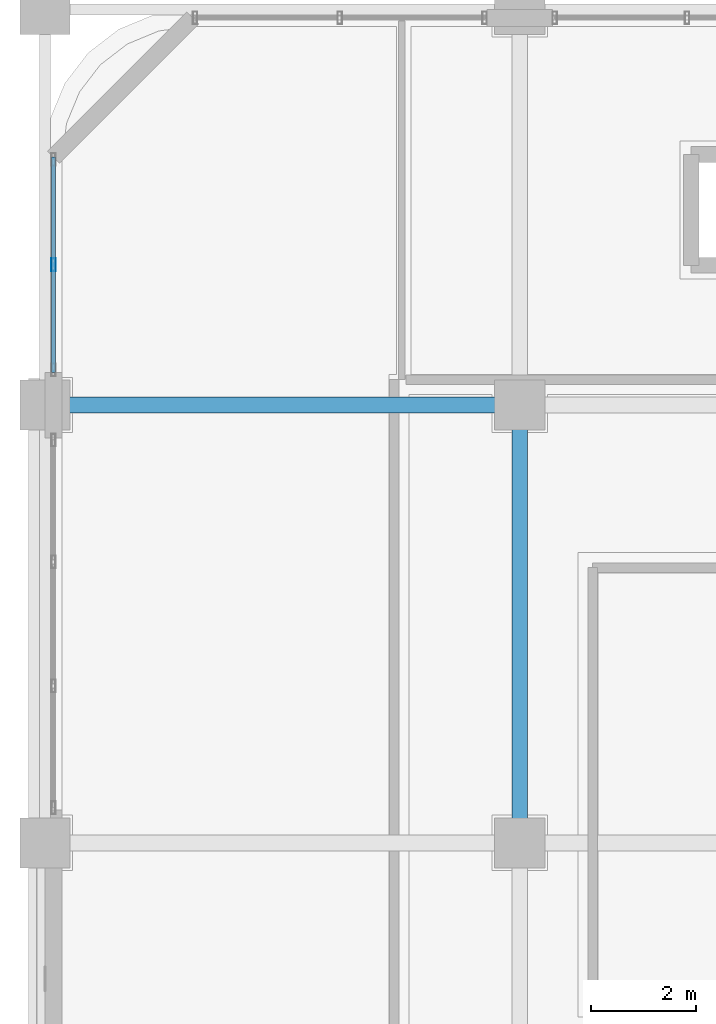
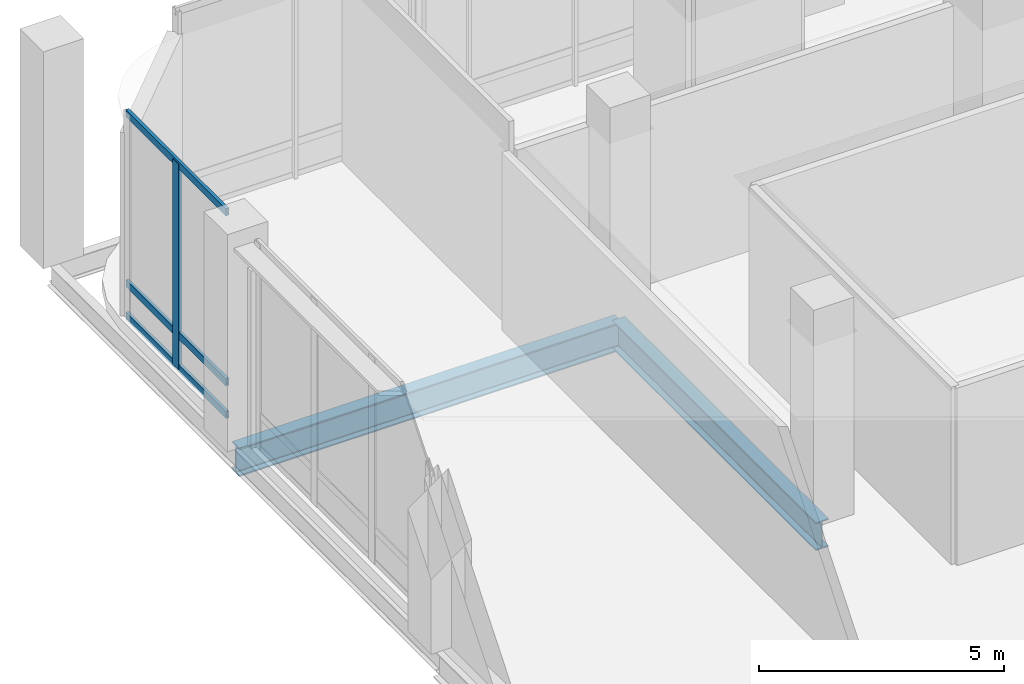
# One storey, part 13 of 43: 4 members, 2 beams, 1 element without a shape of its own.
"""IFC4 building model written with IfcOpenShell, lengths in metres."""

from ifc_helpers import new_model, si_unit, direction, frame, origin, origin_2d, place, context, subcontext, project, spatial, hollow_rectangle, i_section, extrude, material, material_profile, profile_set, type_object, element, aggregate, save


model = new_model("IFC4")

# Units and contexts
model_context = context("Model", 3, precision=1e-05, world=origin(), true_north=direction((0.0, 1.0)))
body_context = subcontext(model_context, "Body", "Model", "MODEL_VIEW")
ifc_project = project(units=[si_unit("LENGTHUNIT", "METRE"), si_unit("AREAUNIT", "SQUARE_METRE"), si_unit("VOLUMEUNIT", "CUBIC_METRE"), si_unit("PLANEANGLEUNIT", "RADIAN"), si_unit("MASSUNIT", "GRAM", prefix="KILO")], contexts=[model_context])

# Site, building, storey
site_placement = place(None, origin())
site = spatial("IfcSite", under=ifc_project, at=site_placement, CompositionType="ELEMENT")
building_placement = place(site_placement, origin())
building = spatial("IfcBuilding", under=site, at=building_placement, Name="Punatoya Terracotta Tower", CompositionType="ELEMENT")
storey_placement = place(building_placement, frame((0.0, 0.0, 6.0)))
storey = spatial("IfcBuildingStorey", under=building, at=storey_placement, Name="L01", CompositionType="ELEMENT", Elevation=6.0)

# Beams
ifc_material_1 = material(Name="Steel S355", Category="steel")
ifc_material_profile_1 = material_profile(ifc_material_1, i_section(OverallWidth=0.300048828125, OverallDepth=0.699951171875, WebThickness=0.01708984375, FlangeThickness=0.031982421875, FilletRadius=0.01806640625, at=origin_2d()))
ifc_profile_set_1 = profile_set([ifc_material_profile_1], Name="Steel S355")
beam_type = type_object("IfcBeamType", Name="BM-PRI-700", PredefinedType="BEAM", material=ifc_profile_set_1)
beam_1_placement = place(storey_placement, frame((-37.0, 17.5, -0.6298828125), z_axis=(1.0, 0.0, 0.0), x_axis=(0.0, 1.0, 0.0)))
element("IfcBeam", 1, at=beam_1_placement, inside=storey, type_object=beam_type, Name="BM-L01-GW1", PredefinedType="BEAM", context=body_context, shape_type="SweptSolid", body=[
    extrude(i_section(OverallWidth=0.300048828125, OverallDepth=0.699951171875, WebThickness=0.01708984375, FlangeThickness=0.031982421875, FilletRadius=0.01806640625, at=origin_2d()), origin(), (0.0, 0.0, 1.0), 9.0),
])
beam_2_placement = place(storey_placement, frame((-28.0, 9.199951171875, -0.6298828125), z_axis=(0.0, 1.0, 0.0), x_axis=(-1.0, 0.0, 0.0)))
element("IfcBeam", 2, at=beam_2_placement, inside=storey, type_object=beam_type, Name="BM-L01-X28W-9", PredefinedType="BEAM", context=body_context, shape_type="SweptSolid", body=[
    extrude(i_section(OverallWidth=0.300048828125, OverallDepth=0.699951171875, WebThickness=0.01708984375, FlangeThickness=0.031982421875, FilletRadius=0.01806640625, at=origin_2d()), origin(), (0.0, 0.0, 1.0), 8.300048828125),
])

# Curtain wall, members
ifc_material_2 = material(Name="Aluminium 6063-T6 + Double Low-E Glass", Category="aluminium")
curtain_wall_type = type_object("IfcCurtainWallType", Name="CW-POD", PredefinedType="NOTDEFINED", material=ifc_material_2)
curtain_wall_placement = place(storey_placement, origin())
curtain_wall = element("IfcCurtainWall", 3, at=curtain_wall_placement, inside=storey, type_object=curtain_wall_type, Name="L01 Curtain Wall CWP-L01-W4", PredefinedType="NOTDEFINED")
ifc_material_3 = material(Name="Aluminium 6063-T6", Category="aluminium")
ifc_material_profile_2 = material_profile(ifc_material_3, hollow_rectangle(XDim=0.0849609375, YDim=0.239990234375, WallThickness=0.0048828125, at=origin_2d()))
ifc_profile_set_2 = profile_set([ifc_material_profile_2], Name="Aluminium 6063-T6")
member_type_1 = type_object("IfcMemberType", Name="CW-MUL-POD", PredefinedType="MULLION", material=ifc_profile_set_2)
member_1_placement = place(storey_placement, frame((-36.840087890625, 20.159912109375, 0.0), z_axis=(0.0, 0.0, 1.0), x_axis=(1.0, 0.0, 0.0)))
member_1 = element("IfcMember", 4, at=member_1_placement, type_object=member_type_1, Name="CWP-L01-W4 Mullion 01", PredefinedType="MULLION", context=body_context, shape_type="SweptSolid", body=[
    extrude(hollow_rectangle(XDim=0.0849609375, YDim=0.239990234375, WallThickness=0.0048828125, at=origin_2d()), origin(), (0.0, 0.0, 1.0), 5.1201171875),
])
ifc_material_profile_3 = material_profile(ifc_material_3, hollow_rectangle(XDim=0.074951171875, YDim=0.175048828125, WallThickness=0.00439453125, at=origin_2d()))
ifc_profile_set_3 = profile_set([ifc_material_profile_3], Name="Aluminium 6063-T6")
member_type_2 = type_object("IfcMemberType", Name="CW-TRN-POD", PredefinedType="USERDEFINED", material=ifc_profile_set_3)
member_2_placement = place(storey_placement, frame((-36.840087890625, 18.1201171875, 0.0400390625), z_axis=(0.0, 1.0, 0.0), x_axis=(-1.0, 0.0, 0.0)))
member_2 = element("IfcMember", 5, at=member_2_placement, type_object=member_type_2, Name="CWP-L01-W4 Transom 1", ObjectType="TRANSOM", PredefinedType="USERDEFINED", context=body_context, shape_type="SweptSolid", body=[
    extrude(hollow_rectangle(XDim=0.074951171875, YDim=0.175048828125, WallThickness=0.00439453125, at=origin_2d()), origin(), (0.0, 0.0, 1.0), 4.079833984375),
])
member_3_placement = place(storey_placement, frame((-36.840087890625, 18.1201171875, 0.85009765625), z_axis=(0.0, 1.0, 0.0), x_axis=(-1.0, 0.0, 0.0)))
member_3 = element("IfcMember", 6, at=member_3_placement, type_object=member_type_2, Name="CWP-L01-W4 Transom 2", ObjectType="TRANSOM", PredefinedType="USERDEFINED", context=body_context, shape_type="SweptSolid", body=[
    extrude(hollow_rectangle(XDim=0.074951171875, YDim=0.175048828125, WallThickness=0.00439453125, at=origin_2d()), origin(), (0.0, 0.0, 1.0), 4.079833984375),
])
member_4_placement = place(storey_placement, frame((-36.840087890625, 18.1201171875, 5.080078125), z_axis=(0.0, 1.0, 0.0), x_axis=(-1.0, 0.0, 0.0)))
member_4 = element("IfcMember", 7, at=member_4_placement, type_object=member_type_2, Name="CWP-L01-W4 Transom 3", ObjectType="TRANSOM", PredefinedType="USERDEFINED", context=body_context, shape_type="SweptSolid", body=[
    extrude(hollow_rectangle(XDim=0.074951171875, YDim=0.175048828125, WallThickness=0.00439453125, at=origin_2d()), origin(), (0.0, 0.0, 1.0), 4.079833984375),
])
aggregate(curtain_wall, [member_1, member_2, member_3, member_4])

save(model, "model.ifc")
